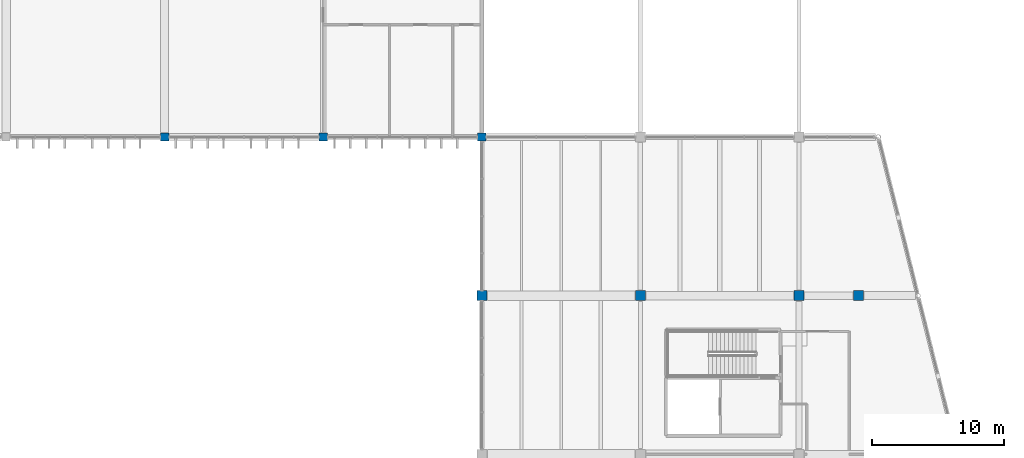
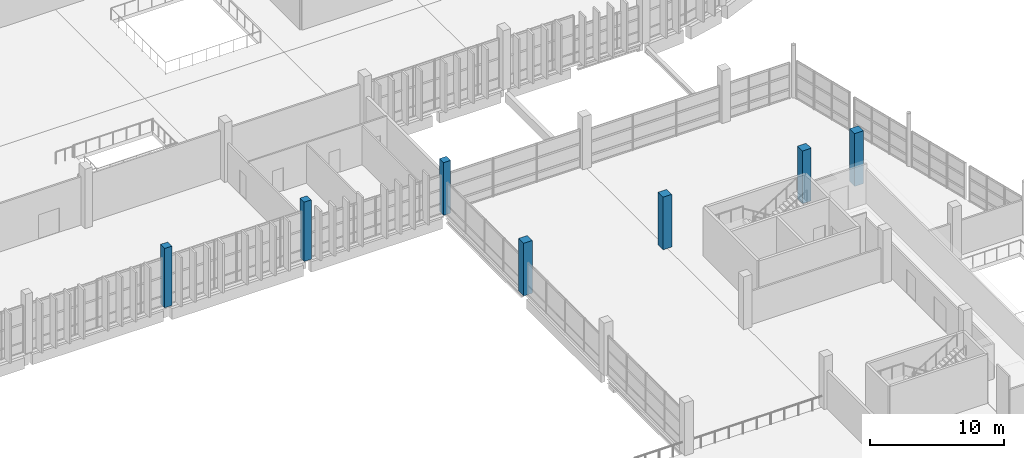
# One storey, part 12 of 112: 7 columns.
"""IFC4 building model written with IfcOpenShell, lengths in metres."""

from ifc_helpers import new_model, si_unit, direction, frame, origin, origin_2d, place, context, subcontext, project, spatial, rectangle, extrude, material, material_profile, profile_set, type_object, element, save


model = new_model("IFC4")

# Units and contexts
model_context = context("Model", 3, precision=1e-05, world=origin(), true_north=direction((0.0, 1.0)))
body_context = subcontext(model_context, "Body", "Model", "MODEL_VIEW")
ifc_project = project(units=[si_unit("LENGTHUNIT", "METRE"), si_unit("AREAUNIT", "SQUARE_METRE"), si_unit("VOLUMEUNIT", "CUBIC_METRE"), si_unit("PLANEANGLEUNIT", "RADIAN"), si_unit("MASSUNIT", "GRAM", prefix="KILO")], contexts=[model_context])

# Site, building, storey
site_placement = place(None, origin())
site = spatial("IfcSite", under=ifc_project, at=site_placement, CompositionType="ELEMENT")
building_placement = place(site_placement, origin())
building = spatial("IfcBuilding", under=site, at=building_placement, Name="Kamomehara Wholesale Market", CompositionType="ELEMENT")
storey_placement = place(building_placement, frame((0.0, 0.0, 6.60009765625)))
storey = spatial("IfcBuildingStorey", under=building, at=storey_placement, Name="L01", CompositionType="ELEMENT", Elevation=6.60009765625)

# Columns
ifc_material_1 = material(Name="Precast concrete Fc45 (C40/50)", Category="concrete")
ifc_material_profile_1 = material_profile(ifc_material_1, rectangle(XDim=0.6201171875, YDim=0.6201171875, at=origin_2d()), Name="PC-COL-620x620")
ifc_profile_set_1 = profile_set([ifc_material_profile_1], Name="Precast concrete Fc45 (C40/50)")
column_type_1 = type_object("IfcColumnType", Name="COL-PC620-EXT", PredefinedType="COLUMN", material=ifc_profile_set_1)
for number, where, z_axis, x_axis, name in (
    (1, (132.0, 96.0, 0.0), (0.0, 0.0, 1.0), (1.0, 0.0, 0.0), "Column C-16E L01"),
    (2, (144.0, 96.0, 0.0), (0.0, 0.0, 1.0), (1.0, 0.0, 0.0), "Column C-16E L01"),
):
    element("IfcColumn", number, at=place(storey_placement, frame(where, z_axis=z_axis, x_axis=x_axis)), inside=storey, type_object=column_type_1, Name=name, PredefinedType="COLUMN", context=body_context, shape_type="SweptSolid", body=[
        extrude(rectangle(XDim=0.6201171875, YDim=0.6201171875, at=origin_2d()), origin(), (0.0, 0.0, 1.0), 5.39990234375),
    ])
column_placement = place(storey_placement, frame((156.0, 96.0, 0.0), z_axis=(0.0, 0.0, 1.0), x_axis=(1.0, 0.0, 0.0)))
element("IfcColumn", 3, at=column_placement, inside=storey, type_object=column_type_1, Name="Column C-16E L01", PredefinedType="COLUMN", context=body_context, shape_type="SweptSolid", body=[
    extrude(rectangle(XDim=0.6201171875, YDim=0.6201171875, at=origin_2d()), origin(), (0.0, 0.0, 1.0), 4.7998046875),
])
ifc_material_2 = material(Name="Precast concrete Fc45 (C40/50)", Category="concrete")
ifc_material_profile_2 = material_profile(ifc_material_2, rectangle(XDim=0.75, YDim=0.75, at=origin_2d()), Name="PC-COL-750x750")
ifc_profile_set_2 = profile_set([ifc_material_profile_2], Name="Precast concrete Fc45 (C40/50)")
column_type_2 = type_object("IfcColumnType", Name="COL-PC750", PredefinedType="COLUMN", material=ifc_profile_set_2)
for number, where, z_axis, x_axis, name in (
    (4, (180.0, 84.0, 0.0), (0.0, 0.0, 1.0), (1.0, 0.0, 0.0), "Column C-04 L01"),
    (5, (184.5, 84.0, 0.0), (0.0, 0.0, 1.0), (1.0, 0.0, 0.0), "Column C-04 L01"),
):
    element("IfcColumn", number, at=place(storey_placement, frame(where, z_axis=z_axis, x_axis=x_axis)), inside=storey, type_object=column_type_2, Name=name, PredefinedType="COLUMN", context=body_context, shape_type="SweptSolid", body=[
        extrude(rectangle(XDim=0.75, YDim=0.75, at=origin_2d()), origin(), (0.0, 0.0, 1.0), 4.7998046875),
    ])
ifc_material_3 = material(Name="Precast concrete Fc45 (C40/50)", Category="concrete")
ifc_material_profile_3 = material_profile(ifc_material_3, rectangle(XDim=0.75, YDim=0.75, at=origin_2d()), Name="PC-COL-750x750")
ifc_profile_set_3 = profile_set([ifc_material_profile_3], Name="Precast concrete Fc45 (C40/50)")
column_type_3 = type_object("IfcColumnType", Name="COL-PC750-EXT", PredefinedType="COLUMN", material=ifc_profile_set_3)
for number, where, z_axis, x_axis, name in (
    (6, (156.0, 84.0, 0.0), (0.0, 0.0, 1.0), (1.0, 0.0, 0.0), "Column C-04E L01"),
    (7, (168.0, 84.0, 0.0), (0.0, 0.0, 1.0), (1.0, 0.0, 0.0), "Column C-04E L01"),
):
    element("IfcColumn", number, at=place(storey_placement, frame(where, z_axis=z_axis, x_axis=x_axis)), inside=storey, type_object=column_type_3, Name=name, PredefinedType="COLUMN", context=body_context, shape_type="SweptSolid", body=[
        extrude(rectangle(XDim=0.75, YDim=0.75, at=origin_2d()), origin(), (0.0, 0.0, 1.0), 4.7998046875),
    ])

save(model, "model.ifc")
